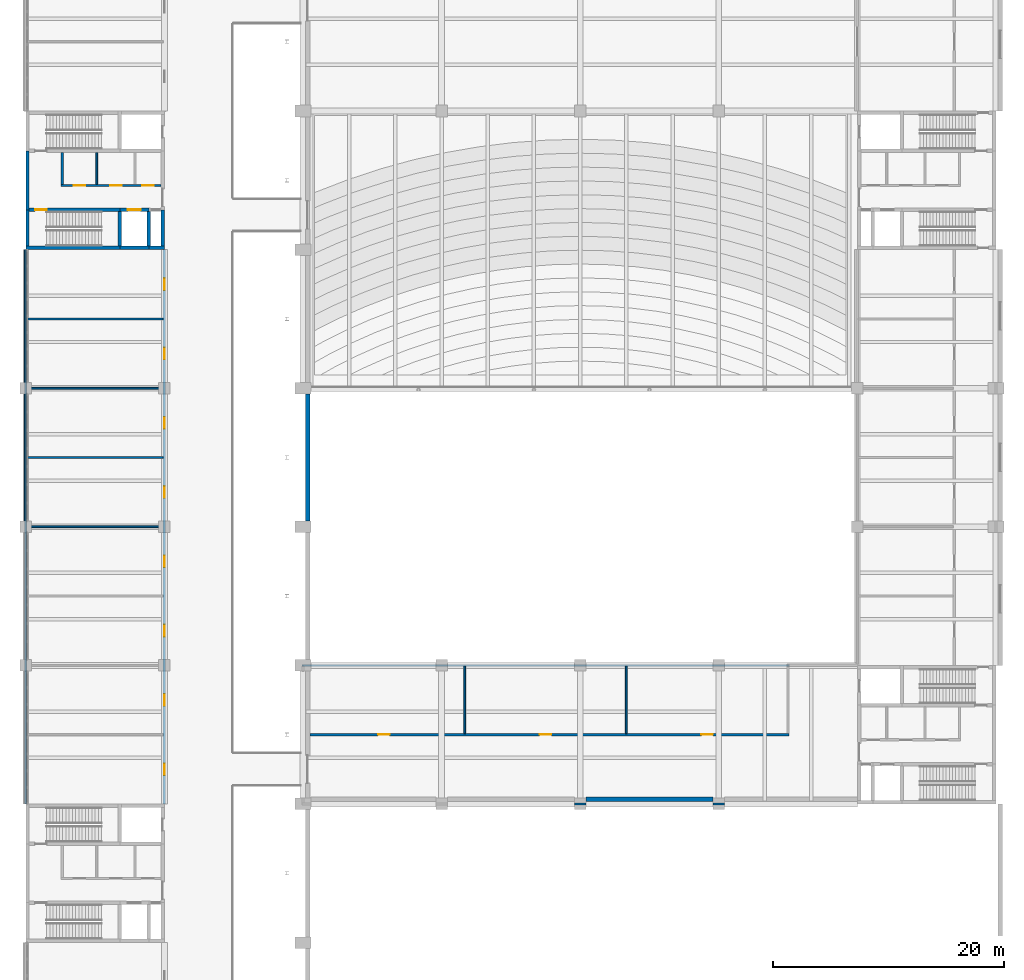
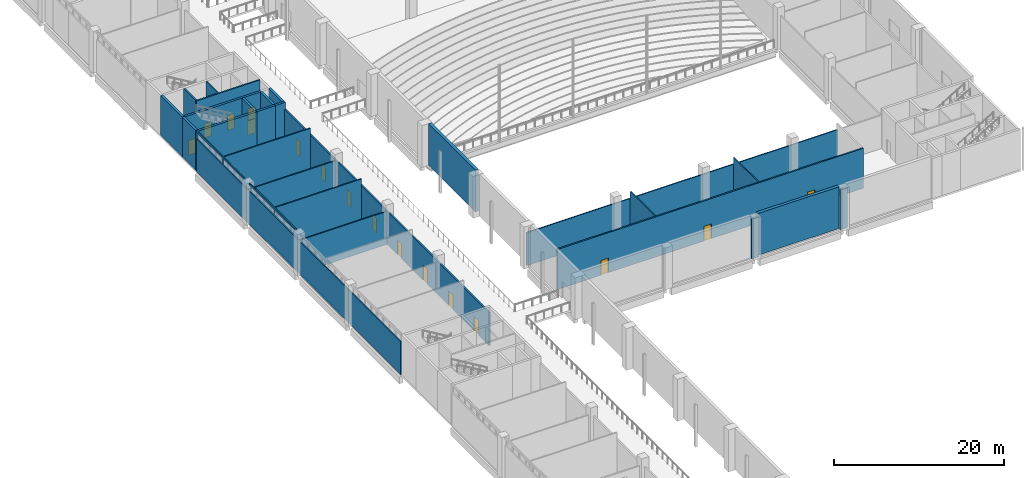
# One storey, part 55 of 72: 29 walls, 16 doors, 16 openings.
"""IFC4 building model written with IfcOpenShell, lengths in metres."""

from ifc_helpers import new_model, si_unit, direction, frame, frame_2d, origin, place, context, subcontext, project, spatial, rectangle, extrude, material, layer, layer_set, type_object, element, fill, save


model = new_model("IFC4")

# Units and contexts
model_context = context("Model", 3, precision=1e-05, world=origin(), true_north=direction((0.0, 1.0)))
body_context = subcontext(model_context, "Body", "Model", "MODEL_VIEW")
ifc_project = project(units=[si_unit("LENGTHUNIT", "METRE"), si_unit("AREAUNIT", "SQUARE_METRE"), si_unit("VOLUMEUNIT", "CUBIC_METRE"), si_unit("PLANEANGLEUNIT", "RADIAN"), si_unit("MASSUNIT", "GRAM", prefix="KILO")], contexts=[model_context])

# Site, building, storey
site_placement = place(None, origin())
site = spatial("IfcSite", under=ifc_project, at=site_placement, CompositionType="ELEMENT")
building_placement = place(site_placement, origin())
building = spatial("IfcBuilding", under=site, at=building_placement, Name="Lilac Gate Convention Centre", CompositionType="ELEMENT")
storey_placement = place(building_placement, frame((0.0, 0.0, 6.0)))
storey = spatial("IfcBuildingStorey", under=building, at=storey_placement, Name="L01", CompositionType="ELEMENT", Elevation=6.0)

# Walls
ifc_material_1 = material(Name="Concrete C30", Category="concrete")
ifc_layer_1 = layer(ifc_material_1, 0.39990234375)
ifc_layer_set_1 = layer_set([ifc_layer_1], Name="Concrete C30")
wall_type_1 = type_object("IfcWallType", Name="Hall fire wall 400", PredefinedType="SOLIDWALL", material=ifc_layer_set_1)
for number, where, z_axis, x_axis, name in (
    (1, (30.39990234375, 126.5, 0.0), (0.0, 0.0, 1.0), (0.0, 1.0, 0.0), "Fire wall galleria FW L01 9"),
    (2, (54.5, 102.39990234375, 0.0), (0.0, 0.0, 1.0), (1.0, 0.0, 0.0), "Fire wall exhibition hall HN L01 3"),
):
    element("IfcWall", number, at=place(storey_placement, frame(where, z_axis=z_axis, x_axis=x_axis)), inside=storey, type_object=wall_type_1, Name=name, PredefinedType="SOLIDWALL", context=body_context, shape_type="SweptSolid", body=[
        extrude(rectangle(XDim=11.0, YDim=0.39990234375, at=frame_2d((5.5, 0.0))), origin(), (0.0, 0.0, 1.0), 6.0),
    ])
ifc_material_2 = material(Name="Fire-rated gypsum board on steel stud", Category="steel")
ifc_layer_2 = layer(ifc_material_2, 0.14990234375)
ifc_layer_set_2 = layer_set([ifc_layer_2], Name="Fire-rated gypsum board on steel stud")
wall_type_2 = type_object("IfcWallType", Name="Partition 150 fire-rated gypsum board EI 60", PredefinedType="PARTITIONING", material=ifc_layer_set_2)
wall_1_placement = place(storey_placement, frame((29.925048828125, 114.0, 0.0), z_axis=(0.0, 0.0, 1.0), x_axis=(1.0, 0.0, 0.0)))
element("IfcWall", 3, at=wall_1_placement, inside=storey, type_object=wall_type_2, Name="Partition 150 fire-rated gypsum board EI 60", PredefinedType="PARTITIONING", context=body_context, shape_type="SweptSolid", body=[
    extrude(rectangle(XDim=42.175048828125, YDim=0.14990234375, at=frame_2d((21.08740234375, 0.0))), origin(), (0.0, 0.0, 1.0), 4.75),
])
wall_2_placement = place(storey_placement, frame((6.074951171875, 126.0, 0.0), z_axis=(0.0, 0.0, 1.0), x_axis=(1.0, 0.0, 0.0)))
element("IfcWall", 4, at=wall_2_placement, inside=storey, type_object=wall_type_2, Name="Partition 150 fire-rated gypsum board EI 60", PredefinedType="PARTITIONING", context=body_context, shape_type="SweptSolid", body=[
    extrude(rectangle(XDim=11.824951171875, YDim=0.14990234375, at=frame_2d((5.91259765625, 0.0))), origin(), (0.0, 0.0, 1.0), 4.75),
])
wall_3_placement = place(storey_placement, frame((6.074951171875, 132.0, 0.0), z_axis=(0.0, 0.0, 1.0), x_axis=(1.0, 0.0, 0.0)))
element("IfcWall", 5, at=wall_3_placement, inside=storey, type_object=wall_type_2, Name="Partition 150 fire-rated gypsum board EI 60", PredefinedType="PARTITIONING", context=body_context, shape_type="SweptSolid", body=[
    extrude(rectangle(XDim=11.824951171875, YDim=0.14990234375, at=frame_2d((5.91259765625, 0.0))), origin(), (0.0, 0.0, 1.0), 5.75),
])
wall_4_placement = place(storey_placement, frame((6.074951171875, 138.0, 0.0), z_axis=(0.0, 0.0, 1.0), x_axis=(1.0, 0.0, 0.0)))
element("IfcWall", 6, at=wall_4_placement, inside=storey, type_object=wall_type_2, Name="Partition 150 fire-rated gypsum board EI 60", PredefinedType="PARTITIONING", context=body_context, shape_type="SweptSolid", body=[
    extrude(rectangle(XDim=11.824951171875, YDim=0.14990234375, at=frame_2d((5.91259765625, 0.0))), origin(), (0.0, 0.0, 1.0), 4.75),
])
wall_5_placement = place(storey_placement, frame((6.074951171875, 144.0, 0.0), z_axis=(0.0, 0.0, 1.0), x_axis=(1.0, 0.0, 0.0)))
element("IfcWall", 7, at=wall_5_placement, inside=storey, type_object=wall_type_2, Name="Partition 150 fire-rated gypsum board EI 60", PredefinedType="PARTITIONING", context=body_context, shape_type="SweptSolid", body=[
    extrude(rectangle(XDim=11.824951171875, YDim=0.14990234375, at=frame_2d((5.91259765625, 0.0))), origin(), (0.0, 0.0, 1.0), 5.75),
])
wall_6_placement = place(storey_placement, frame((6.0, 102.0, 0.0), z_axis=(0.0, 0.0, 1.0), x_axis=(0.0, 1.0, 0.0)))
element("IfcWall", 8, at=wall_6_placement, inside=storey, type_object=wall_type_2, Name="Partition 150 fire-rated gypsum board EI 60", PredefinedType="PARTITIONING", context=body_context, shape_type="SweptSolid", body=[
    extrude(rectangle(XDim=48.0, YDim=0.14990234375, at=frame_2d((24.0, 0.0))), origin(), (0.0, 0.0, 1.0), 4.75),
])
wall_7_placement = place(storey_placement, frame((12.14990234375, 155.64990234375, 0.0), z_axis=(0.0, 0.0, 1.0), x_axis=(0.0, 1.0, 0.0)))
element("IfcWall", 9, at=wall_7_placement, inside=storey, type_object=wall_type_2, Name="Partition 150 fire-rated gypsum board EI 60", PredefinedType="PARTITIONING", context=body_context, shape_type="SweptSolid", body=[
    extrude(rectangle(XDim=2.75, YDim=0.14990234375, at=frame_2d((1.375, 0.0))), origin(), (0.0, 0.0, 1.0), 5.75),
])
for number, where, z_axis, x_axis, name in (
    (10, (44.0, 108.10009765625, 0.0), (0.0, 0.0, 1.0), (0.0, 1.0, 0.0), "Partition 150 fire-rated gypsum board EI 60"),
    (11, (58.0, 108.10009765625, 0.0), (0.0, 0.0, 1.0), (0.0, 1.0, 0.0), "Partition 150 fire-rated gypsum board EI 60"),
):
    element("IfcWall", number, at=place(storey_placement, frame(where, z_axis=z_axis, x_axis=x_axis)), inside=storey, type_object=wall_type_2, Name=name, PredefinedType="PARTITIONING", context=body_context, shape_type="SweptSolid", body=[
        extrude(rectangle(XDim=5.824951171875, YDim=0.14990234375, at=frame_2d((2.91259765625, 0.0))), origin(), (0.0, 0.0, 1.0), 5.75),
    ])
ifc_material_3 = material(Name="Clay brick masonry", Category="masonry")
ifc_layer_3 = layer(ifc_material_3, 0.199951171875)
ifc_layer_set_3 = layer_set([ifc_layer_3], Name="Clay brick masonry")
wall_type_3 = type_object("IfcWallType", Name="Partition 200 brick EI 60", PredefinedType="PARTITIONING", material=ifc_layer_set_3)
for number, where, z_axis, x_axis, name in (
    (12, (53.5, 102.0, 0.0), (0.0, 0.0, 1.0), (1.0, 0.0, 0.0), "Partition 200 brick EI 60"),
    (13, (65.5, 102.0, 0.0), (0.0, 0.0, 1.0), (1.0, 0.0, 0.0), "Partition 200 brick EI 60"),
):
    element("IfcWall", number, at=place(storey_placement, frame(where, z_axis=z_axis, x_axis=x_axis)), inside=storey, type_object=wall_type_3, Name=name, PredefinedType="PARTITIONING", context=body_context, shape_type="SweptSolid", body=[
        extrude(rectangle(XDim=1.0, YDim=0.199951171875, at=frame_2d((0.5, 0.0))), origin(), (0.0, 0.0, 1.0), 5.75),
    ])

# Wall, openings, doors
wall_8_placement = place(storey_placement, frame((30.599853515625, 108.0, 0.0), z_axis=(0.0, 0.0, 1.0), x_axis=(1.0, 0.0, 0.0)))
wall_8 = element("IfcWall", 14, at=wall_8_placement, inside=storey, type_object=wall_type_3, Name="Partition 200 brick EI 60", PredefinedType="PARTITIONING", context=body_context, shape_type="SweptSolid", body=[
    extrude(rectangle(XDim=41.500244140625, YDim=0.199951171875, at=frame_2d((20.75, 0.0))), origin(), (0.0, 0.0, 1.0), 5.75),
])
opening_1_placement = place(wall_8_placement, frame((5.900146484375, 0.0, 0.0)))
opening_1 = element("IfcOpeningElement", 15, at=opening_1_placement, cuts=wall_8, Name="Opening L01-034", PredefinedType="OPENING", context=body_context, shape_type="SweptSolid", body=[
    extrude(rectangle(XDim=1.0, YDim=2.10009765625, at=frame_2d((0.5, 1.050048828125))), frame((0.0, 0.10986328125, 0.0), z_axis=(0.0, -1.0, 0.0), x_axis=(1.0, 0.0, 0.0)), (0.0, 0.0, 1.0), 0.219970703125),
])
opening_2_placement = place(wall_8_placement, frame((19.900146484375, 0.0, 0.0)))
opening_2 = element("IfcOpeningElement", 16, at=opening_2_placement, cuts=wall_8, Name="Opening L01-035", PredefinedType="OPENING", context=body_context, shape_type="SweptSolid", body=[
    extrude(rectangle(XDim=1.0, YDim=2.10009765625, at=frame_2d((0.5, 1.050048828125))), frame((0.0, 0.10986328125, 0.0), z_axis=(0.0, -1.0, 0.0), x_axis=(1.0, 0.0, 0.0)), (0.0, 0.0, 1.0), 0.219970703125),
])
opening_3_placement = place(wall_8_placement, frame((33.900146484375, 0.0, 0.0)))
opening_3 = element("IfcOpeningElement", 17, at=opening_3_placement, cuts=wall_8, Name="Opening L01-036", PredefinedType="OPENING", context=body_context, shape_type="SweptSolid", body=[
    extrude(rectangle(XDim=1.0, YDim=2.10009765625, at=frame_2d((0.5, 1.050048828125))), frame((0.0, 0.10986328125, 0.0), z_axis=(0.0, -1.0, 0.0), x_axis=(1.0, 0.0, 0.0)), (0.0, 0.0, 1.0), 0.219970703125),
])
ifc_material_4 = material(Name="Timber fire door leaf", Category="wood")
door_type_1 = type_object("IfcDoorType", Name="Door 1000 x 2100 single leaf FD30", OperationType="SINGLE_SWING_LEFT", PredefinedType="DOOR", material=ifc_material_4)
door_1_placement = place(opening_1_placement, origin())
door_1 = element("IfcDoor", 18, at=door_1_placement, inside=storey, type_object=door_type_1, Name="Office door L01-034", OperationType="SINGLE_SWING_RIGHT", OverallHeight=2.10009765625, OverallWidth=1.0, PredefinedType="DOOR", context=body_context, shape_type="SweptSolid", body=[
    extrude(rectangle(XDim=1.0, YDim=2.10009765625, at=frame_2d((0.5, 1.050048828125))), frame((0.0, 0.02490234375, 0.0), z_axis=(0.0, -1.0, 0.0), x_axis=(1.0, 0.0, 0.0)), (0.0, 0.0, 1.0), 0.050048828125),
])
fill(opening_1, door_1)
door_2_placement = place(opening_2_placement, origin())
door_2 = element("IfcDoor", 19, at=door_2_placement, inside=storey, type_object=door_type_1, Name="Office door L01-035", OperationType="SINGLE_SWING_RIGHT", OverallHeight=2.10009765625, OverallWidth=1.0, PredefinedType="DOOR", context=body_context, shape_type="SweptSolid", body=[
    extrude(rectangle(XDim=1.0, YDim=2.10009765625, at=frame_2d((0.5, 1.050048828125))), frame((0.0, 0.02490234375, 0.0), z_axis=(0.0, -1.0, 0.0), x_axis=(1.0, 0.0, 0.0)), (0.0, 0.0, 1.0), 0.050048828125),
])
fill(opening_2, door_2)
door_3_placement = place(opening_3_placement, origin())
door_3 = element("IfcDoor", 20, at=door_3_placement, inside=storey, type_object=door_type_1, Name="Office door L01-036", OperationType="SINGLE_SWING_RIGHT", OverallHeight=2.10009765625, OverallWidth=1.0, PredefinedType="DOOR", context=body_context, shape_type="SweptSolid", body=[
    extrude(rectangle(XDim=1.0, YDim=2.10009765625, at=frame_2d((0.5, 1.050048828125))), frame((0.0, 0.02490234375, 0.0), z_axis=(0.0, -1.0, 0.0), x_axis=(1.0, 0.0, 0.0)), (0.0, 0.0, 1.0), 0.050048828125),
])
fill(opening_3, door_3)

wall_9_placement = place(storey_placement, frame((9.050048828125, 155.550048828125, 0.0), z_axis=(0.0, 0.0, 1.0), x_axis=(1.0, 0.0, 0.0)))
wall_9 = element("IfcWall", 21, at=wall_9_placement, inside=storey, type_object=wall_type_3, Name="Partition 200 brick EI 60", PredefinedType="PARTITIONING", context=body_context, shape_type="SweptSolid", body=[
    extrude(rectangle(XDim=8.64990234375, YDim=0.199951171875, at=frame_2d((4.324951171875, 0.0))), origin(), (0.0, 0.0, 1.0), 5.75),
])
opening_4_placement = place(wall_9_placement, frame((1.10009765625, 0.0, 0.0)))
opening_4 = element("IfcOpeningElement", 22, at=opening_4_placement, cuts=wall_9, Name="Opening L01-061", PredefinedType="OPENING", context=body_context, shape_type="SweptSolid", body=[
    extrude(rectangle(XDim=1.0, YDim=2.10009765625, at=frame_2d((0.5, 1.050048828125))), frame((0.0, 0.10986328125, 0.0), z_axis=(0.0, -1.0, 0.0), x_axis=(1.0, 0.0, 0.0)), (0.0, 0.0, 1.0), 0.219970703125),
])
opening_5_placement = place(wall_9_placement, frame((4.25, 0.0, 0.0)))
opening_5 = element("IfcOpeningElement", 23, at=opening_5_placement, cuts=wall_9, Name="Opening L01-062", PredefinedType="OPENING", context=body_context, shape_type="SweptSolid", body=[
    extrude(rectangle(XDim=1.0, YDim=2.10009765625, at=frame_2d((0.5, 1.050048828125))), frame((0.0, 0.10986328125, 0.0), z_axis=(0.0, -1.0, 0.0), x_axis=(1.0, 0.0, 0.0)), (0.0, 0.0, 1.0), 0.219970703125),
])
opening_6_placement = place(wall_9_placement, frame((7.050048828125, 0.0, 0.0)))
opening_6 = element("IfcOpeningElement", 24, at=opening_6_placement, cuts=wall_9, Name="Opening L01-063", PredefinedType="OPENING", context=body_context, shape_type="SweptSolid", body=[
    extrude(rectangle(XDim=1.0, YDim=2.10009765625, at=frame_2d((0.5, 1.050048828125))), frame((0.0, 0.10986328125, 0.0), z_axis=(0.0, -1.0, 0.0), x_axis=(1.0, 0.0, 0.0)), (0.0, 0.0, 1.0), 0.219970703125),
])
door_4_placement = place(opening_4_placement, origin())
door_4 = element("IfcDoor", 25, at=door_4_placement, inside=storey, type_object=door_type_1, Name="WC door L01-061", OperationType="SINGLE_SWING_RIGHT", OverallHeight=2.10009765625, OverallWidth=1.0, PredefinedType="DOOR", context=body_context, shape_type="SweptSolid", body=[
    extrude(rectangle(XDim=1.0, YDim=2.10009765625, at=frame_2d((0.5, 1.050048828125))), frame((0.0, 0.02490234375, 0.0), z_axis=(0.0, -1.0, 0.0), x_axis=(1.0, 0.0, 0.0)), (0.0, 0.0, 1.0), 0.050048828125),
])
fill(opening_4, door_4)
door_5_placement = place(opening_5_placement, origin())
door_5 = element("IfcDoor", 26, at=door_5_placement, inside=storey, type_object=door_type_1, Name="WC door L01-062", OperationType="SINGLE_SWING_LEFT", OverallHeight=2.10009765625, OverallWidth=1.0, PredefinedType="DOOR", context=body_context, shape_type="SweptSolid", body=[
    extrude(rectangle(XDim=1.0, YDim=2.10009765625, at=frame_2d((0.5, 1.050048828125))), frame((0.0, 0.02490234375, 0.0), z_axis=(0.0, -1.0, 0.0), x_axis=(1.0, 0.0, 0.0)), (0.0, 0.0, 1.0), 0.050048828125),
])
fill(opening_5, door_5)
door_6_placement = place(opening_6_placement, origin())
door_6 = element("IfcDoor", 27, at=door_6_placement, inside=storey, type_object=door_type_1, Name="Accessible WC door L01-063", OperationType="SINGLE_SWING_LEFT", OverallHeight=2.10009765625, OverallWidth=1.0, PredefinedType="DOOR", context=body_context, shape_type="SweptSolid", body=[
    extrude(rectangle(XDim=1.0, YDim=2.10009765625, at=frame_2d((0.5, 1.050048828125))), frame((0.0, 0.02490234375, 0.0), z_axis=(0.0, -1.0, 0.0), x_axis=(1.0, 0.0, 0.0)), (0.0, 0.0, 1.0), 0.050048828125),
])
fill(opening_6, door_6)

# Wall
wall_10_placement = place(storey_placement, frame((9.14990234375, 155.64990234375, 0.0), z_axis=(0.0, 0.0, 1.0), x_axis=(0.0, 1.0, 0.0)))
element("IfcWall", 28, at=wall_10_placement, inside=storey, type_object=wall_type_3, Name="Partition 200 brick EI 60", PredefinedType="PARTITIONING", context=body_context, shape_type="SweptSolid", body=[
    extrude(rectangle(XDim=2.75, YDim=0.199951171875, at=frame_2d((1.375, 0.0))), origin(), (0.0, 0.0, 1.0), 5.75),
])

# Wall, openings, doors
wall_11_placement = place(storey_placement, frame((18.0, 102.0, 0.0), z_axis=(0.0, 0.0, 1.0), x_axis=(0.0, 1.0, 0.0)))
wall_11 = element("IfcWall", 29, at=wall_11_placement, inside=storey, type_object=wall_type_3, Name="Partition 200 brick EI 60", PredefinedType="PARTITIONING", context=body_context, shape_type="SweptSolid", body=[
    extrude(rectangle(XDim=48.0, YDim=0.199951171875, at=frame_2d((24.0, 0.0))), origin(), (0.0, 0.0, 1.0), 4.75),
])
opening_7_placement = place(wall_11_placement, frame((2.5, 0.0, 0.0)))
opening_7 = element("IfcOpeningElement", 30, at=opening_7_placement, cuts=wall_11, Name="Opening L01-026", PredefinedType="OPENING", context=body_context, shape_type="SweptSolid", body=[
    extrude(rectangle(XDim=1.0, YDim=2.10009765625, at=frame_2d((0.5, 1.050048828125))), frame((0.0, 0.10986328125, 0.0), z_axis=(0.0, -1.0, 0.0), x_axis=(1.0, 0.0, 0.0)), (0.0, 0.0, 1.0), 0.219970703125),
])
opening_8_placement = place(wall_11_placement, frame((8.5, 0.0, 0.0)))
opening_8 = element("IfcOpeningElement", 31, at=opening_8_placement, cuts=wall_11, Name="Opening L01-038", PredefinedType="OPENING", context=body_context, shape_type="SweptSolid", body=[
    extrude(rectangle(XDim=1.0, YDim=2.10009765625, at=frame_2d((0.5, 1.050048828125))), frame((0.0, 0.10986328125, 0.0), z_axis=(0.0, -1.0, 0.0), x_axis=(1.0, 0.0, 0.0)), (0.0, 0.0, 1.0), 0.219970703125),
])
opening_9_placement = place(wall_11_placement, frame((14.5, 0.0, 0.0)))
opening_9 = element("IfcOpeningElement", 32, at=opening_9_placement, cuts=wall_11, Name="Opening L01-041", PredefinedType="OPENING", context=body_context, shape_type="SweptSolid", body=[
    extrude(rectangle(XDim=1.0, YDim=2.10009765625, at=frame_2d((0.5, 1.050048828125))), frame((0.0, 0.10986328125, 0.0), z_axis=(0.0, -1.0, 0.0), x_axis=(1.0, 0.0, 0.0)), (0.0, 0.0, 1.0), 0.219970703125),
])
opening_10_placement = place(wall_11_placement, frame((20.5, 0.0, 0.0)))
opening_10 = element("IfcOpeningElement", 33, at=opening_10_placement, cuts=wall_11, Name="Opening L01-043", PredefinedType="OPENING", context=body_context, shape_type="SweptSolid", body=[
    extrude(rectangle(XDim=1.0, YDim=2.10009765625, at=frame_2d((0.5, 1.050048828125))), frame((0.0, 0.10986328125, 0.0), z_axis=(0.0, -1.0, 0.0), x_axis=(1.0, 0.0, 0.0)), (0.0, 0.0, 1.0), 0.219970703125),
])
opening_11_placement = place(wall_11_placement, frame((26.5, 0.0, 0.0)))
opening_11 = element("IfcOpeningElement", 34, at=opening_11_placement, cuts=wall_11, Name="Opening L01-045", PredefinedType="OPENING", context=body_context, shape_type="SweptSolid", body=[
    extrude(rectangle(XDim=1.0, YDim=2.10009765625, at=frame_2d((0.5, 1.050048828125))), frame((0.0, 0.10986328125, 0.0), z_axis=(0.0, -1.0, 0.0), x_axis=(1.0, 0.0, 0.0)), (0.0, 0.0, 1.0), 0.219970703125),
])
opening_12_placement = place(wall_11_placement, frame((32.5, 0.0, 0.0)))
opening_12 = element("IfcOpeningElement", 35, at=opening_12_placement, cuts=wall_11, Name="Opening L01-047", PredefinedType="OPENING", context=body_context, shape_type="SweptSolid", body=[
    extrude(rectangle(XDim=1.0, YDim=2.10009765625, at=frame_2d((0.5, 1.050048828125))), frame((0.0, 0.10986328125, 0.0), z_axis=(0.0, -1.0, 0.0), x_axis=(1.0, 0.0, 0.0)), (0.0, 0.0, 1.0), 0.219970703125),
])
opening_13_placement = place(wall_11_placement, frame((38.5, 0.0, 0.0)))
opening_13 = element("IfcOpeningElement", 36, at=opening_13_placement, cuts=wall_11, Name="Opening L01-049", PredefinedType="OPENING", context=body_context, shape_type="SweptSolid", body=[
    extrude(rectangle(XDim=1.0, YDim=2.10009765625, at=frame_2d((0.5, 1.050048828125))), frame((0.0, 0.10986328125, 0.0), z_axis=(0.0, -1.0, 0.0), x_axis=(1.0, 0.0, 0.0)), (0.0, 0.0, 1.0), 0.219970703125),
])
opening_14_placement = place(wall_11_placement, frame((44.5, 0.0, 0.0)))
opening_14 = element("IfcOpeningElement", 37, at=opening_14_placement, cuts=wall_11, Name="Opening L01-051", PredefinedType="OPENING", context=body_context, shape_type="SweptSolid", body=[
    extrude(rectangle(XDim=1.0, YDim=2.10009765625, at=frame_2d((0.5, 1.050048828125))), frame((0.0, 0.10986328125, 0.0), z_axis=(0.0, -1.0, 0.0), x_axis=(1.0, 0.0, 0.0)), (0.0, 0.0, 1.0), 0.219970703125),
])
door_7_placement = place(opening_7_placement, origin())
door_7 = element("IfcDoor", 38, at=door_7_placement, inside=storey, type_object=door_type_1, Name="Meeting room door L01-026", OperationType="SINGLE_SWING_RIGHT", OverallHeight=2.10009765625, OverallWidth=1.0, PredefinedType="DOOR", context=body_context, shape_type="SweptSolid", body=[
    extrude(rectangle(XDim=1.0, YDim=2.10009765625, at=frame_2d((0.5, 1.050048828125))), frame((0.0, 0.02490234375, 0.0), z_axis=(0.0, -1.0, 0.0), x_axis=(1.0, 0.0, 0.0)), (0.0, 0.0, 1.0), 0.050048828125),
])
fill(opening_7, door_7)
door_8_placement = place(opening_8_placement, origin())
door_8 = element("IfcDoor", 39, at=door_8_placement, inside=storey, type_object=door_type_1, Name="Meeting room door L01-038", OperationType="SINGLE_SWING_RIGHT", OverallHeight=2.10009765625, OverallWidth=1.0, PredefinedType="DOOR", context=body_context, shape_type="SweptSolid", body=[
    extrude(rectangle(XDim=1.0, YDim=2.10009765625, at=frame_2d((0.5, 1.050048828125))), frame((0.0, 0.02490234375, 0.0), z_axis=(0.0, -1.0, 0.0), x_axis=(1.0, 0.0, 0.0)), (0.0, 0.0, 1.0), 0.050048828125),
])
fill(opening_8, door_8)
door_9_placement = place(opening_9_placement, origin())
door_9 = element("IfcDoor", 40, at=door_9_placement, inside=storey, type_object=door_type_1, Name="Meeting room door L01-041", OperationType="SINGLE_SWING_RIGHT", OverallHeight=2.10009765625, OverallWidth=1.0, PredefinedType="DOOR", context=body_context, shape_type="SweptSolid", body=[
    extrude(rectangle(XDim=1.0, YDim=2.10009765625, at=frame_2d((0.5, 1.050048828125))), frame((0.0, 0.02490234375, 0.0), z_axis=(0.0, -1.0, 0.0), x_axis=(1.0, 0.0, 0.0)), (0.0, 0.0, 1.0), 0.050048828125),
])
fill(opening_9, door_9)
door_10_placement = place(opening_10_placement, origin())
door_10 = element("IfcDoor", 41, at=door_10_placement, inside=storey, type_object=door_type_1, Name="Meeting room door L01-043", OperationType="SINGLE_SWING_RIGHT", OverallHeight=2.10009765625, OverallWidth=1.0, PredefinedType="DOOR", context=body_context, shape_type="SweptSolid", body=[
    extrude(rectangle(XDim=1.0, YDim=2.10009765625, at=frame_2d((0.5, 1.050048828125))), frame((0.0, 0.02490234375, 0.0), z_axis=(0.0, -1.0, 0.0), x_axis=(1.0, 0.0, 0.0)), (0.0, 0.0, 1.0), 0.050048828125),
])
fill(opening_10, door_10)
door_11_placement = place(opening_11_placement, origin())
door_11 = element("IfcDoor", 42, at=door_11_placement, inside=storey, type_object=door_type_1, Name="Meeting room door L01-045", OperationType="SINGLE_SWING_RIGHT", OverallHeight=2.10009765625, OverallWidth=1.0, PredefinedType="DOOR", context=body_context, shape_type="SweptSolid", body=[
    extrude(rectangle(XDim=1.0, YDim=2.10009765625, at=frame_2d((0.5, 1.050048828125))), frame((0.0, 0.02490234375, 0.0), z_axis=(0.0, -1.0, 0.0), x_axis=(1.0, 0.0, 0.0)), (0.0, 0.0, 1.0), 0.050048828125),
])
fill(opening_11, door_11)
door_12_placement = place(opening_12_placement, origin())
door_12 = element("IfcDoor", 43, at=door_12_placement, inside=storey, type_object=door_type_1, Name="Meeting room door L01-047", OperationType="SINGLE_SWING_RIGHT", OverallHeight=2.10009765625, OverallWidth=1.0, PredefinedType="DOOR", context=body_context, shape_type="SweptSolid", body=[
    extrude(rectangle(XDim=1.0, YDim=2.10009765625, at=frame_2d((0.5, 1.050048828125))), frame((0.0, 0.02490234375, 0.0), z_axis=(0.0, -1.0, 0.0), x_axis=(1.0, 0.0, 0.0)), (0.0, 0.0, 1.0), 0.050048828125),
])
fill(opening_12, door_12)
door_13_placement = place(opening_13_placement, origin())
door_13 = element("IfcDoor", 44, at=door_13_placement, inside=storey, type_object=door_type_1, Name="Meeting room door L01-049", OperationType="SINGLE_SWING_RIGHT", OverallHeight=2.10009765625, OverallWidth=1.0, PredefinedType="DOOR", context=body_context, shape_type="SweptSolid", body=[
    extrude(rectangle(XDim=1.0, YDim=2.10009765625, at=frame_2d((0.5, 1.050048828125))), frame((0.0, 0.02490234375, 0.0), z_axis=(0.0, -1.0, 0.0), x_axis=(1.0, 0.0, 0.0)), (0.0, 0.0, 1.0), 0.050048828125),
])
fill(opening_13, door_13)
door_14_placement = place(opening_14_placement, origin())
door_14 = element("IfcDoor", 45, at=door_14_placement, inside=storey, type_object=door_type_1, Name="Meeting room door L01-051", OperationType="SINGLE_SWING_RIGHT", OverallHeight=2.10009765625, OverallWidth=1.0, PredefinedType="DOOR", context=body_context, shape_type="SweptSolid", body=[
    extrude(rectangle(XDim=1.0, YDim=2.10009765625, at=frame_2d((0.5, 1.050048828125))), frame((0.0, 0.02490234375, 0.0), z_axis=(0.0, -1.0, 0.0), x_axis=(1.0, 0.0, 0.0)), (0.0, 0.0, 1.0), 0.050048828125),
])
fill(opening_14, door_14)

# Walls
ifc_material_5 = material(Name="Concrete C40 precast", Category="concrete")
ifc_layer_4 = layer(ifc_material_5, 0.1298828125)
ifc_material_6 = material(Name="Ochre mineral render")
ifc_layer_5 = layer(ifc_material_6, 0.02001953125)
ifc_layer_set_4 = layer_set([ifc_layer_4, ifc_layer_5], Name="Concrete C40 precast, Ochre mineral render")
wall_type_4 = type_object("IfcWallType", Name="Precast band ochre 150", PredefinedType="STANDARD", material=ifc_layer_set_4)
wall_12_placement = place(storey_placement, frame((5.925048828125, 150.0, 5.75), z_axis=(0.0, 0.0, 1.0), x_axis=(0.0, -1.0, 0.0)))
element("IfcWall", 46, at=wall_12_placement, inside=storey, type_object=wall_type_4, Name="Precast band PW L01 5", PredefinedType="STANDARD", context=body_context, shape_type="SweptSolid", body=[
    extrude(rectangle(XDim=11.5, YDim=0.14990234375, at=frame_2d((5.75, 0.0))), origin(), (0.0, 0.0, 1.0), 0.25),
])
wall_13_placement = place(storey_placement, frame((5.925048828125, 137.5, 5.75), z_axis=(0.0, 0.0, 1.0), x_axis=(0.0, -1.0, 0.0)))
element("IfcWall", 47, at=wall_13_placement, inside=storey, type_object=wall_type_4, Name="Precast band PW L01 6", PredefinedType="STANDARD", context=body_context, shape_type="SweptSolid", body=[
    extrude(rectangle(XDim=11.0, YDim=0.14990234375, at=frame_2d((5.5, 0.0))), origin(), (0.0, 0.0, 1.0), 0.25),
])
ifc_material_7 = material(Name="Concrete C40", Category="concrete")
ifc_layer_6 = layer(ifc_material_7, 0.300048828125)
ifc_layer_set_5 = layer_set([ifc_layer_6], Name="Concrete C40")
wall_type_5 = type_object("IfcWallType", Name="Shear wall 300 C40", PredefinedType="SHEAR", material=ifc_layer_set_5)
wall_14_placement = place(storey_placement, frame((6.0, 150.14990234375, 0.0), z_axis=(0.0, 0.0, 1.0), x_axis=(1.0, 0.0, 0.0)))
element("IfcWall", 48, at=wall_14_placement, inside=storey, type_object=wall_type_5, Name="SW1 shear wall W3 L01 1", PredefinedType="SHEAR", context=body_context, shape_type="SweptSolid", body=[
    extrude(rectangle(XDim=8.14990234375, YDim=0.300048828125, at=frame_2d((4.074951171875, 0.0))), origin(), (0.0, 0.0, 1.0), 5.75),
])
wall_15_placement = place(storey_placement, frame((14.14990234375, 150.14990234375, 0.0), z_axis=(0.0, 0.0, 1.0), x_axis=(1.0, 0.0, 0.0)))
element("IfcWall", 49, at=wall_15_placement, inside=storey, type_object=wall_type_5, Name="SW1 shear wall W3 L01 2", PredefinedType="SHEAR", context=body_context, shape_type="SweptSolid", body=[
    extrude(rectangle(XDim=2.5, YDim=0.300048828125, at=frame_2d((1.25, 0.0))), origin(), (0.0, 0.0, 1.0), 5.75),
])
wall_16_placement = place(storey_placement, frame((16.64990234375, 150.14990234375, 0.0), z_axis=(0.0, 0.0, 1.0), x_axis=(1.0, 0.0, 0.0)))
element("IfcWall", 50, at=wall_16_placement, inside=storey, type_object=wall_type_5, Name="SW1 shear wall W3 L01 3", PredefinedType="SHEAR", context=body_context, shape_type="SweptSolid", body=[
    extrude(rectangle(XDim=1.35009765625, YDim=0.300048828125, at=frame_2d((0.675048828125, 0.0))), origin(), (0.0, 0.0, 1.0), 5.75),
])

# Wall, opening, door
wall_17_placement = place(storey_placement, frame((6.300048828125, 153.449951171875, 0.0), z_axis=(0.0, 0.0, 1.0), x_axis=(1.0, 0.0, 0.0)))
wall_17 = element("IfcWall", 51, at=wall_17_placement, inside=storey, type_object=wall_type_5, Name="SW1 shear wall W3 L01 6", PredefinedType="SHEAR", context=body_context, shape_type="SweptSolid", body=[
    extrude(rectangle(XDim=7.849853515625, YDim=0.300048828125, at=frame_2d((3.9248046875, 0.0))), origin(), (0.0, 0.0, 1.0), 5.75),
])
opening_15_placement = place(wall_17_placement, frame((0.5, 0.0, 0.0)))
opening_15 = element("IfcOpeningElement", 52, at=opening_15_placement, cuts=wall_17, Name="Opening L01-055", PredefinedType="OPENING", context=body_context, shape_type="SweptSolid", body=[
    extrude(rectangle(XDim=1.0, YDim=2.10009765625, at=frame_2d((0.5, 1.050048828125))), frame((0.0, 0.159912109375, 0.0), z_axis=(0.0, -1.0, 0.0), x_axis=(1.0, 0.0, 0.0)), (0.0, 0.0, 1.0), 0.320068359375),
])
door_type_2 = type_object("IfcDoorType", Name="Door 1000 x 2100 single leaf FD60", OperationType="SINGLE_SWING_LEFT", PredefinedType="DOOR", material=ifc_material_4)
door_15_placement = place(opening_15_placement, frame((1.0, 0.0, 0.0), z_axis=(0.0, 0.0, 1.0), x_axis=(-1.0, 0.0, 0.0)))
door_15 = element("IfcDoor", 53, at=door_15_placement, inside=storey, type_object=door_type_2, Name="Stair door L01-055", OperationType="SINGLE_SWING_LEFT", OverallHeight=2.10009765625, OverallWidth=1.0, PredefinedType="DOOR", context=body_context, shape_type="SweptSolid", body=[
    extrude(rectangle(XDim=1.0, YDim=2.10009765625, at=frame_2d((0.5, 1.050048828125))), frame((0.0, 0.02490234375, 0.0), z_axis=(0.0, -1.0, 0.0), x_axis=(1.0, 0.0, 0.0)), (0.0, 0.0, 1.0), 0.050048828125),
])
fill(opening_15, door_15)

wall_18_placement = place(storey_placement, frame((14.14990234375, 153.449951171875, 0.0), z_axis=(0.0, 0.0, 1.0), x_axis=(1.0, 0.0, 0.0)))
wall_18 = element("IfcWall", 54, at=wall_18_placement, inside=storey, type_object=wall_type_5, Name="SW1 shear wall W3 L01 7", PredefinedType="SHEAR", context=body_context, shape_type="SweptSolid", body=[
    extrude(rectangle(XDim=2.5, YDim=0.300048828125, at=frame_2d((1.25, 0.0))), origin(), (0.0, 0.0, 1.0), 5.75),
])
opening_16_placement = place(wall_18_placement, frame((0.699951171875, 0.0, 0.0)))
opening_16 = element("IfcOpeningElement", 55, at=opening_16_placement, cuts=wall_18, Name="Opening LDW3-01", PredefinedType="OPENING", context=body_context, shape_type="SweptSolid", body=[
    extrude(rectangle(XDim=1.10009765625, YDim=2.10009765625, at=frame_2d((0.550048828125, 1.050048828125))), frame((0.0, 0.159912109375, 0.0), z_axis=(0.0, -1.0, 0.0), x_axis=(1.0, 0.0, 0.0)), (0.0, 0.0, 1.0), 0.320068359375),
])
ifc_material_8 = material(Name="Stainless steel 304", Category="steel")
door_type_3 = type_object("IfcDoorType", Name="Lift landing door 1100 x 2100", OperationType="SLIDING_TO_LEFT", PredefinedType="DOOR", material=ifc_material_8)
door_16_placement = place(opening_16_placement, origin())
door_16 = element("IfcDoor", 56, at=door_16_placement, inside=storey, type_object=door_type_3, Name="Lift landing door LDW3-01", OperationType="SLIDING_TO_LEFT", OverallHeight=2.10009765625, OverallWidth=1.10009765625, PredefinedType="DOOR", context=body_context, shape_type="SweptSolid", body=[
    extrude(rectangle(XDim=1.10009765625, YDim=2.10009765625, at=frame_2d((0.550048828125, 1.050048828125))), frame((0.0, 0.02490234375, 0.0), z_axis=(0.0, -1.0, 0.0), x_axis=(1.0, 0.0, 0.0)), (0.0, 0.0, 1.0), 0.050048828125),
])
fill(opening_16, door_16)

# Walls
wall_19_placement = place(storey_placement, frame((6.14990234375, 150.300048828125, 0.0), z_axis=(0.0, 0.0, 1.0), x_axis=(0.0, 1.0, 0.0)))
element("IfcWall", 57, at=wall_19_placement, inside=storey, type_object=wall_type_5, Name="SW1 shear wall W3 L01 11", PredefinedType="SHEAR", context=body_context, shape_type="SweptSolid", body=[
    extrude(rectangle(XDim=3.14990234375, YDim=0.300048828125, at=frame_2d((1.574951171875, 0.0))), origin(), (0.0, 0.0, 1.0), 5.75),
])
wall_20_placement = place(storey_placement, frame((6.14990234375, 153.449951171875, 0.0), z_axis=(0.0, 0.0, 1.0), x_axis=(0.0, 1.0, 0.0)))
element("IfcWall", 58, at=wall_20_placement, inside=storey, type_object=wall_type_5, Name="SW1 shear wall W3 L01 12", PredefinedType="SHEAR", context=body_context, shape_type="SweptSolid", body=[
    extrude(rectangle(XDim=5.10009765625, YDim=0.300048828125, at=frame_2d((2.550048828125, 0.0))), origin(), (0.0, 0.0, 1.0), 5.75),
])
wall_21_placement = place(storey_placement, frame((17.85009765625, 150.300048828125, 0.0), z_axis=(0.0, 0.0, 1.0), x_axis=(0.0, 1.0, 0.0)))
element("IfcWall", 59, at=wall_21_placement, inside=storey, type_object=wall_type_5, Name="SW1 shear wall W3 L01 14", PredefinedType="SHEAR", context=body_context, shape_type="SweptSolid", body=[
    extrude(rectangle(XDim=3.14990234375, YDim=0.300048828125, at=frame_2d((1.574951171875, 0.0))), origin(), (0.0, 0.0, 1.0), 5.75),
])
for number, where, z_axis, x_axis, name in (
    (60, (14.14990234375, 150.300048828125, 0.0), (0.0, 0.0, 1.0), (0.0, 1.0, 0.0), "SW1 shear wall W3 L01 17"),
    (61, (16.64990234375, 150.300048828125, 0.0), (0.0, 0.0, 1.0), (0.0, 1.0, 0.0), "SW1 shear wall W3 L01 19"),
):
    element("IfcWall", number, at=place(storey_placement, frame(where, z_axis=z_axis, x_axis=x_axis)), inside=storey, type_object=wall_type_5, Name=name, PredefinedType="SHEAR", context=body_context, shape_type="SweptSolid", body=[
        extrude(rectangle(XDim=3.0, YDim=0.300048828125, at=frame_2d((1.5, 0.0))), origin(), (0.0, 0.0, 1.0), 5.75),
    ])

save(model, "model.ifc")
